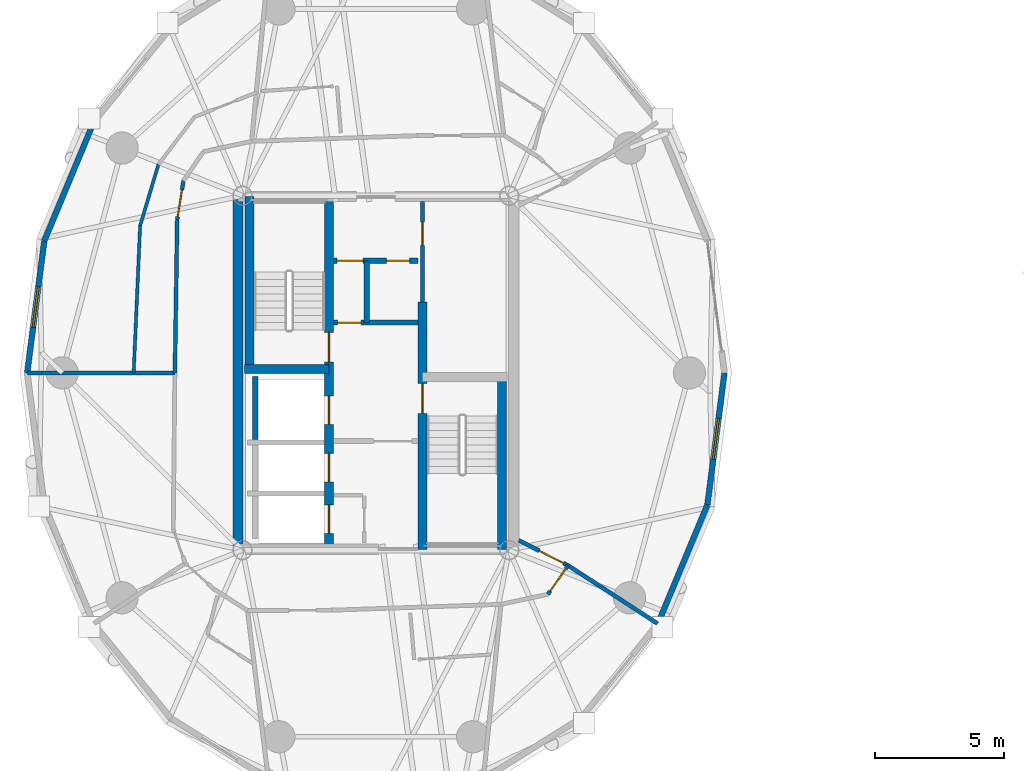
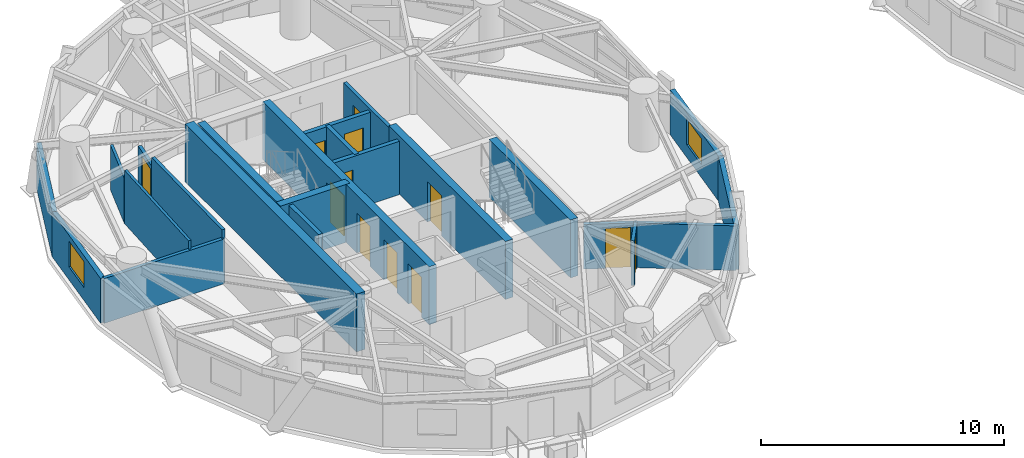
# One storey, part 11 of 19: 23 walls, 12 doors, 2 windows, 14 openings.
"""IFC4 building model written with IfcOpenShell, lengths in metres."""

from ifc_helpers import new_model, si_unit, direction, frame, frame_2d, origin, place, context, subcontext, project, spatial, rectangle, extrude, source, transform, mapped, material, layer, layer_set, type_object, element, fill, save


model = new_model("IFC4")

# Units and contexts
model_context = context("Model", 3, precision=1e-05, world=origin(), true_north=direction((0.0, 1.0)))
body_context = subcontext(model_context, "Body", "Model", "MODEL_VIEW")
ifc_project = project(units=[si_unit("LENGTHUNIT", "METRE"), si_unit("AREAUNIT", "SQUARE_METRE"), si_unit("VOLUMEUNIT", "CUBIC_METRE"), si_unit("PLANEANGLEUNIT", "RADIAN"), si_unit("MASSUNIT", "GRAM", prefix="KILO")], contexts=[model_context])

# Site, building, storey
site_placement = place(None, origin())
site = spatial("IfcSite", under=ifc_project, at=site_placement, CompositionType="ELEMENT")
building_placement = place(site_placement, origin())
building = spatial("IfcBuilding", under=site, at=building_placement, Name="Cununo Teusaquillo Station Towers", CompositionType="ELEMENT")
storey_placement = place(building_placement, frame((0.0, 0.0, 177.7900390625)))
storey = spatial("IfcBuildingStorey", under=building, at=storey_placement, Name="L56", CompositionType="ELEMENT", Elevation=177.7900390625)

# Wall
ifc_material_1 = material(Name="Concrete C50/60", Category="concrete")
ifc_layer_1 = layer(ifc_material_1, 0.199951171875)
ifc_layer_set_1 = layer_set([ifc_layer_1], Name="Concrete C50/60")
wall_type_1 = type_object("IfcWallType", Name="WL-CORE-200", PredefinedType="SHEAR", material=ifc_layer_set_1)
wall_1_placement = place(storey_placement, frame((11.820068359375, 21.919921875, 0.0), z_axis=(0.0, 0.0, 1.0), x_axis=(0.0, 1.0, 0.0)))
element("IfcWall", 1, at=wall_1_placement, inside=storey, type_object=wall_type_1, Name="L56 Tower A Firefighting Lift Shaft Rear Shear Wall", PredefinedType="SHEAR", context=body_context, shape_type="SweptSolid", body=[
    extrude(rectangle(XDim=2.440185546875, YDim=0.199951171875, at=frame_2d((1.22021484375, 0.0))), origin(), (0.0, 0.0, 1.0), 2.909912109375),
])

# Wall, openings, doors
ifc_material_2 = material(Name="Concrete C50/60", Category="concrete")
ifc_layer_2 = layer(ifc_material_2, 0.35009765625)
ifc_layer_set_2 = layer_set([ifc_layer_2], Name="Concrete C50/60")
wall_type_2 = type_object("IfcWallType", Name="WL-CORE-350", PredefinedType="SHEAR", material=ifc_layer_set_2)
wall_2_placement = place(storey_placement, frame((14.68505859375, 17.64990234375, 0.0), z_axis=(0.0, 0.0, 1.0), x_axis=(0.0, 1.0, 0.0)))
wall_2 = element("IfcWall", 2, at=wall_2_placement, inside=storey, type_object=wall_type_2, Name="L56 Tower A Core Shear Wall IW", PredefinedType="SHEAR", context=body_context, shape_type="SweptSolid", body=[
    extrude(rectangle(XDim=13.7001953125, YDim=0.35009765625, at=frame_2d((6.85009765625, 0.0))), origin(), (0.0, 0.0, 1.0), 2.909912109375),
])
shared_shape_1 = source(origin(), body_context, "Body", "SweptSolid", [
    extrude(rectangle(XDim=1.10009765625, YDim=2.014892578125, at=frame_2d((0.550048828125, 1.00732421875))), frame((0.0, 0.18505859375, 0.0), z_axis=(0.0, -1.0, 0.0), x_axis=(1.0, 0.0, 0.0)), (0.0, 0.0, 1.0), 0.3701171875),
])
opening_1_placement = place(wall_2_placement, frame((4.85009765625, 0.0, 0.0)))
opening_1 = element("IfcOpeningElement", 3, at=opening_1_placement, cuts=wall_2, Name="Opening LD-01", PredefinedType="OPENING", context=body_context, shape_type="MappedRepresentation", body=[
    mapped(shared_shape_1, transform((0.0, 0.0, 0.0), x_axis=(1.0, 0.0, 0.0), y_axis=(0.0, 1.0, 0.0), z_axis=(0.0, 0.0, 1.0), scale=1.0)),
])
opening_2_placement = place(wall_2_placement, frame((0.625, 0.0, 0.0)))
opening_2 = element("IfcOpeningElement", 4, at=opening_2_placement, cuts=wall_2, Name="Opening LD-01", PredefinedType="OPENING", context=body_context, shape_type="MappedRepresentation", body=[
    mapped(shared_shape_1, transform((0.0, 0.0, 0.0), x_axis=(1.0, 0.0, 0.0), y_axis=(0.0, 1.0, 0.0), z_axis=(0.0, 0.0, 1.0), scale=1.0)),
])
opening_3_placement = place(wall_2_placement, frame((2.625, 0.0, 0.0)))
opening_3 = element("IfcOpeningElement", 5, at=opening_3_placement, cuts=wall_2, Name="Opening LD-01", PredefinedType="OPENING", context=body_context, shape_type="MappedRepresentation", body=[
    mapped(shared_shape_1, transform((0.0, 0.0, 0.0), x_axis=(1.0, 0.0, 0.0), y_axis=(0.0, 1.0, 0.0), z_axis=(0.0, 0.0, 1.0), scale=1.0)),
])
shared_shape_2 = source(origin(), body_context, "Body", "SweptSolid", [
    extrude(rectangle(XDim=1.14990234375, YDim=2.02001953125, at=frame_2d((0.574951171875, 1.010009765625))), frame((0.0, 0.18505859375, 0.0), z_axis=(0.0, -1.0, 0.0), x_axis=(1.0, 0.0, 0.0)), (0.0, 0.0, 1.0), 0.3701171875),
])
opening_4_placement = place(wall_2_placement, frame((7.27001953125, 0.0, 0.0)))
opening_4 = element("IfcOpeningElement", 6, at=opening_4_placement, cuts=wall_2, Name="Opening D-ST1", PredefinedType="OPENING", context=body_context, shape_type="MappedRepresentation", body=[
    mapped(shared_shape_2, transform((0.0, 0.0, 0.0), x_axis=(1.0, 0.0, 0.0), y_axis=(0.0, 1.0, 0.0), z_axis=(0.0, 0.0, 1.0), scale=1.0)),
])
ifc_material_3 = material(Name="Galvanised fire-rated hollow steel door assembly", Category="steel")
door_type_1 = type_object("IfcDoorType", Name="DR-LIFT-1100", OperationType="SLIDING_TO_LEFT", PredefinedType="DOOR", material=ifc_material_3)
shared_shape_3 = source(origin(), body_context, "Body", "SweptSolid", [
    extrude(rectangle(XDim=1.10009765625, YDim=2.014892578125, at=frame_2d((0.550048828125, 1.00732421875))), frame((0.0, 0.02490234375, 0.0), z_axis=(0.0, -1.0, 0.0), x_axis=(1.0, 0.0, 0.0)), (0.0, 0.0, 1.0), 0.050048828125),
])
door_1_placement = place(opening_1_placement, origin())
door_1 = element("IfcDoor", 7, at=door_1_placement, inside=storey, type_object=door_type_1, Name="L56 Lift FL-T1 Sliding Landing Door", OperationType="SLIDING_TO_LEFT", OverallHeight=2.014892578125, OverallWidth=1.10009765625, PredefinedType="DOOR", context=body_context, shape_type="MappedRepresentation", body=[
    mapped(shared_shape_3, transform((0.0, 0.0, 0.0), x_axis=(1.0, 0.0, 0.0), y_axis=(0.0, 1.0, 0.0), z_axis=(0.0, 0.0, 1.0), scale=1.0)),
])
fill(opening_1, door_1)
door_2_placement = place(opening_2_placement, origin())
door_2 = element("IfcDoor", 8, at=door_2_placement, inside=storey, type_object=door_type_1, Name="L56 Lift PL-T1-H1 Sliding Landing Door", OperationType="SLIDING_TO_RIGHT", OverallHeight=2.014892578125, OverallWidth=1.10009765625, PredefinedType="DOOR", context=body_context, shape_type="MappedRepresentation", body=[
    mapped(shared_shape_3, transform((0.0, 0.0, 0.0), x_axis=(1.0, 0.0, 0.0), y_axis=(0.0, 1.0, 0.0), z_axis=(0.0, 0.0, 1.0), scale=1.0)),
])
fill(opening_2, door_2)
door_3_placement = place(opening_3_placement, origin())
door_3 = element("IfcDoor", 9, at=door_3_placement, inside=storey, type_object=door_type_1, Name="L56 Lift PL-T1-H2 Sliding Landing Door", OperationType="SLIDING_TO_LEFT", OverallHeight=2.014892578125, OverallWidth=1.10009765625, PredefinedType="DOOR", context=body_context, shape_type="MappedRepresentation", body=[
    mapped(shared_shape_3, transform((0.0, 0.0, 0.0), x_axis=(1.0, 0.0, 0.0), y_axis=(0.0, 1.0, 0.0), z_axis=(0.0, 0.0, 1.0), scale=1.0)),
])
fill(opening_3, door_3)
ifc_material_4 = material(Name="Galvanised fire-rated hollow steel door assembly", Category="steel")
door_type_2 = type_object("IfcDoorType", Name="DR-STAIR-1150", OperationType="NOTDEFINED", PredefinedType="DOOR", material=ifc_material_4)
shared_shape_4 = source(origin(), body_context, "Body", "SweptSolid", [
    extrude(rectangle(XDim=1.14990234375, YDim=2.02001953125, at=frame_2d((0.574951171875, 1.010009765625))), frame((0.0, 0.02490234375, 0.0), z_axis=(0.0, -1.0, 0.0), x_axis=(1.0, 0.0, 0.0)), (0.0, 0.0, 1.0), 0.050048828125),
])
door_4_placement = place(opening_4_placement, origin())
door_4 = element("IfcDoor", 10, at=door_4_placement, inside=storey, type_object=door_type_2, Name="L56 Tower A Exit Stair 1 Fire Door", OperationType="SINGLE_SWING_RIGHT", OverallHeight=2.02001953125, OverallWidth=1.14990234375, PredefinedType="DOOR", context=body_context, shape_type="MappedRepresentation", body=[
    mapped(shared_shape_4, transform((0.0, 0.0, 0.0), x_axis=(1.0, 0.0, 0.0), y_axis=(0.0, 1.0, 0.0), z_axis=(0.0, 0.0, 1.0), scale=1.0)),
])
fill(opening_4, door_4)

# Wall, opening, door
wall_3_placement = place(storey_placement, frame((18.31494140625, 17.64990234375, 0.0), z_axis=(0.0, 0.0, 1.0), x_axis=(0.0, 1.0, 0.0)))
wall_3 = element("IfcWall", 11, at=wall_3_placement, inside=storey, type_object=wall_type_2, Name="L56 Tower A Core Shear Wall IE", PredefinedType="SHEAR", context=body_context, shape_type="SweptSolid", body=[
    extrude(rectangle(XDim=9.60009765625, YDim=0.35009765625, at=frame_2d((4.800048828125, 0.0))), origin(), (0.0, 0.0, 1.0), 2.909912109375),
])
opening_5_placement = place(wall_3_placement, frame((5.280029296875, 0.0, 0.0)))
opening_5 = element("IfcOpeningElement", 12, at=opening_5_placement, cuts=wall_3, Name="Opening D-ST1", PredefinedType="OPENING", context=body_context, shape_type="MappedRepresentation", body=[
    mapped(shared_shape_2, transform((0.0, 0.0, 0.0), x_axis=(1.0, 0.0, 0.0), y_axis=(0.0, 1.0, 0.0), z_axis=(0.0, 0.0, 1.0), scale=1.0)),
])
door_5_placement = place(opening_5_placement, origin())
door_5 = element("IfcDoor", 13, at=door_5_placement, inside=storey, type_object=door_type_2, Name="L56 Tower A Exit Stair 2 Fire Door", OperationType="SINGLE_SWING_LEFT", OverallHeight=2.02001953125, OverallWidth=1.14990234375, PredefinedType="DOOR", context=body_context, shape_type="MappedRepresentation", body=[
    mapped(shared_shape_4, transform((0.0, 0.0, 0.0), x_axis=(1.0, 0.0, 0.0), y_axis=(0.0, 1.0, 0.0), z_axis=(0.0, 0.0, 1.0), scale=1.0)),
])
fill(opening_5, door_5)

# Walls
wall_4_placement = place(storey_placement, frame((11.594970703125, 24.655029296875, 0.0), z_axis=(0.0, 0.0, 1.0), x_axis=(0.0, 1.0, 0.0)))
element("IfcWall", 14, at=wall_4_placement, inside=storey, type_object=wall_type_2, Name="L56 Tower A Core Shear Wall ST1W", PredefinedType="SHEAR", context=body_context, shape_type="SweptSolid", body=[
    extrude(rectangle(XDim=6.695068359375, YDim=0.35009765625, at=frame_2d((3.34765625, 0.0))), origin(), (0.0, 0.0, 1.0), 2.909912109375),
])
wall_5_placement = place(storey_placement, frame((11.39990234375, 24.655029296875, 0.0), z_axis=(0.0, 0.0, 1.0), x_axis=(1.0, 0.0, 0.0)))
element("IfcWall", 15, at=wall_5_placement, inside=storey, type_object=wall_type_2, Name="L56 Tower A Core Shear Wall ST1S", PredefinedType="SHEAR", context=body_context, shape_type="SweptSolid", body=[
    extrude(rectangle(XDim=3.28515625, YDim=0.35009765625, at=frame_2d((1.642578125, 0.0))), origin(), (0.0, 0.0, 1.0), 2.909912109375),
])
wall_6_placement = place(storey_placement, frame((21.405029296875, 17.64990234375, 0.0), z_axis=(0.0, 0.0, 1.0), x_axis=(0.0, 1.0, 0.0)))
element("IfcWall", 16, at=wall_6_placement, inside=storey, type_object=wall_type_2, Name="L56 Tower A Core Shear Wall ST2E", PredefinedType="SHEAR", context=body_context, shape_type="SweptSolid", body=[
    extrude(rectangle(XDim=6.695068359375, YDim=0.35009765625, at=frame_2d((3.34765625, 0.0))), origin(), (0.0, 0.0, 1.0), 2.909912109375),
])
ifc_material_5 = material(Name="Concrete C50/60", Category="concrete")
ifc_layer_3 = layer(ifc_material_5, 0.39990234375)
ifc_layer_set_3 = layer_set([ifc_layer_3], Name="Concrete C50/60")
wall_type_3 = type_object("IfcWallType", Name="WL-CORE-400", PredefinedType="SHEAR", material=ifc_layer_set_3)
wall_7_placement = place(storey_placement, frame((11.14990234375, 17.449951171875, 0.0), z_axis=(0.0, 0.0, 1.0), x_axis=(0.0, 1.0, 0.0)))
element("IfcWall", 17, at=wall_7_placement, inside=storey, type_object=wall_type_3, Name="L56 Tower A Core Shear Wall W", PredefinedType="SHEAR", context=body_context, shape_type="SweptSolid", body=[
    extrude(rectangle(XDim=14.10009765625, YDim=0.39990234375, at=frame_2d((7.050048828125, 0.0))), origin(), (0.0, 0.0, 1.0), 2.909912109375),
])
ifc_material_6 = material(Name="Precast concrete C40/50", Category="concrete")
ifc_layer_4 = layer(ifc_material_6, 0.219970703125)
ifc_layer_set_4 = layer_set([ifc_layer_4], Name="Precast concrete C40/50")
wall_type_4 = type_object("IfcWallType", Name="WL-EXT-220", PredefinedType="SOLIDWALL", material=ifc_layer_set_4)
wall_8_placement = place(storey_placement, frame((3.63134765625, 29.620361328125, 0.0), z_axis=(0.0, 0.0, 1.0), x_axis=(0.384144094086, 0.923273152961, 0.0)))
element("IfcWall", 18, at=wall_8_placement, inside=storey, type_object=wall_type_4, Name="L56 Tower A Exterior Facade Wall C08", PredefinedType="SOLIDWALL", context=body_context, shape_type="SweptSolid", body=[
    extrude(rectangle(XDim=5.0029296875, YDim=0.219970703125, at=frame_2d((2.50146484375, 0.0))), origin(), (0.0, 0.0, 1.0), 2.244873046875),
])

# Wall, opening, window
wall_9_placement = place(storey_placement, frame((2.968994140625, 24.5, 0.0), z_axis=(0.0, 0.0, 1.0), x_axis=(0.128287912609, 0.991736966881, 0.0)))
wall_9 = element("IfcWall", 19, at=wall_9_placement, inside=storey, type_object=wall_type_4, Name="L56 Tower A Exterior Facade Wall C09", PredefinedType="SOLIDWALL", context=body_context, shape_type="SweptSolid", body=[
    extrude(rectangle(XDim=5.1630859375, YDim=0.219970703125, at=frame_2d((2.58154296875, 0.0))), origin(), (0.0, 0.0, 1.0), 2.244873046875),
])
shared_shape_5 = source(origin(), body_context, "Body", "SweptSolid", [
    extrude(rectangle(XDim=1.60009765625, YDim=1.300048828125, at=frame_2d((0.800048828125, 0.64990234375))), frame((0.0, 0.119873046875, 0.0), z_axis=(0.0, -1.0, 0.0), x_axis=(1.0, 0.0, 0.0)), (0.0, 0.0, 1.0), 0.239990234375),
])
opening_6_placement = place(wall_9_placement, frame((1.781982421875, 0.0, 0.64990234375)))
opening_6 = element("IfcOpeningElement", 20, at=opening_6_placement, cuts=wall_9, Name="Opening WN-03", PredefinedType="OPENING", context=body_context, shape_type="MappedRepresentation", body=[
    mapped(shared_shape_5, transform((0.0, 0.0, 0.0), x_axis=(1.0, 0.0, 0.0), y_axis=(0.0, 1.0, 0.0), z_axis=(0.0, 0.0, 1.0), scale=1.0)),
])
ifc_material_7 = material(Name="Ceramic-fritted dark low-E double glazing", Category="glass")
window_type = type_object("IfcWindowType", Name="WIN-CORN-1600", PartitioningType="SINGLE_PANEL", PredefinedType="WINDOW", material=ifc_material_7)
shared_shape_6 = source(origin(), body_context, "Body", "SweptSolid", [
    extrude(rectangle(XDim=1.60009765625, YDim=1.300048828125, at=frame_2d((0.800048828125, 0.64990234375))), frame((0.0, 0.030029296875, 0.0), z_axis=(0.0, -1.0, 0.0), x_axis=(1.0, 0.0, 0.0)), (0.0, 0.0, 1.0), 0.06005859375),
])
window_1_placement = place(opening_6_placement, origin())
window_1 = element("IfcWindow", 21, at=window_1_placement, inside=storey, type_object=window_type, Name="L56 Tower A Facade Window C09", OverallHeight=1.300048828125, OverallWidth=1.60009765625, PartitioningType="SINGLE_PANEL", PredefinedType="WINDOW", context=body_context, shape_type="MappedRepresentation", body=[
    mapped(shared_shape_6, transform((0.0, 0.0, 0.0), x_axis=(1.0, 0.0, 0.0), y_axis=(0.0, 1.0, 0.0), z_axis=(0.0, 0.0, 1.0), scale=1.0)),
])
fill(opening_6, window_1)

# Wall
wall_10_placement = place(storey_placement, frame((29.36865234375, 19.379638671875, 0.0), z_axis=(0.0, 0.0, 1.0), x_axis=(-0.384144094086, -0.923273152961, 0.0)))
element("IfcWall", 22, at=wall_10_placement, inside=storey, type_object=wall_type_4, Name="L56 Tower A Exterior Facade Wall C18", PredefinedType="SOLIDWALL", context=body_context, shape_type="SweptSolid", body=[
    extrude(rectangle(XDim=5.0029296875, YDim=0.219970703125, at=frame_2d((2.50146484375, 0.0))), origin(), (0.0, 0.0, 1.0), 2.244873046875),
])

# Wall, opening, window
wall_11_placement = place(storey_placement, frame((30.031005859375, 24.5, 0.0), z_axis=(0.0, 0.0, 1.0), x_axis=(-0.128287912609, -0.991736966881, 0.0)))
wall_11 = element("IfcWall", 23, at=wall_11_placement, inside=storey, type_object=wall_type_4, Name="L56 Tower A Exterior Facade Wall C19", PredefinedType="SOLIDWALL", context=body_context, shape_type="SweptSolid", body=[
    extrude(rectangle(XDim=5.1630859375, YDim=0.219970703125, at=frame_2d((2.58154296875, 0.0))), origin(), (0.0, 0.0, 1.0), 2.244873046875),
])
opening_7_placement = place(wall_11_placement, frame((1.781982421875, 0.0, 0.64990234375)))
opening_7 = element("IfcOpeningElement", 24, at=opening_7_placement, cuts=wall_11, Name="Opening WN-03", PredefinedType="OPENING", context=body_context, shape_type="MappedRepresentation", body=[
    mapped(shared_shape_5, transform((0.0, 0.0, 0.0), x_axis=(1.0, 0.0, 0.0), y_axis=(0.0, 1.0, 0.0), z_axis=(0.0, 0.0, 1.0), scale=1.0)),
])
window_2_placement = place(opening_7_placement, origin())
window_2 = element("IfcWindow", 25, at=window_2_placement, inside=storey, type_object=window_type, Name="L56 Tower A Facade Window C19", OverallHeight=1.300048828125, OverallWidth=1.60009765625, PartitioningType="SINGLE_PANEL", PredefinedType="WINDOW", context=body_context, shape_type="MappedRepresentation", body=[
    mapped(shared_shape_6, transform((0.0, 0.0, 0.0), x_axis=(1.0, 0.0, 0.0), y_axis=(0.0, 1.0, 0.0), z_axis=(0.0, 0.0, 1.0), scale=1.0)),
])
fill(opening_7, window_2)

# Walls
ifc_material_8 = material(Name="Fire-rated gypsum plasterboard partition assembly", Category="gypsum")
ifc_layer_5 = layer(ifc_material_8, 0.125)
ifc_layer_set_5 = layer_set([ifc_layer_5], Name="Fire-rated gypsum plasterboard partition assembly")
wall_type_5 = type_object("IfcWallType", Name="WL-PART-125", PredefinedType="PARTITIONING", material=ifc_layer_set_5)
wall_12_placement = place(storey_placement, frame((8.06298828125, 32.593505859375, 0.0), z_axis=(0.0, 0.0, 1.0), x_axis=(-0.286473203627, -0.958088254601, 0.0)))
element("IfcWall", 26, at=wall_12_placement, inside=storey, type_object=wall_type_5, Name="L56 Tower A Hotel Tea & Cigar Conservatory Concentric Partition Wall C08", PredefinedType="PARTITIONING", context=body_context, shape_type="SweptSolid", body=[
    extrude(rectangle(XDim=2.484130859375, YDim=0.125, at=frame_2d((1.2421875, 0.0))), origin(), (0.0, 0.0, 1.0), 2.244873046875),
])
wall_13_placement = place(storey_placement, frame((7.351318359375, 30.21337890625, 0.0), z_axis=(0.0, 0.0, 1.0), x_axis=(-0.043800331293, -0.999040304982, 0.0)))
element("IfcWall", 27, at=wall_13_placement, inside=storey, type_object=wall_type_5, Name="L56 Tower A Hotel Tea & Cigar Conservatory Concentric Partition Wall C09", PredefinedType="PARTITIONING", context=body_context, shape_type="SweptSolid", body=[
    extrude(rectangle(XDim=5.71875, YDim=0.125, at=frame_2d((2.859375, 0.0))), origin(), (0.0, 0.0, 1.0), 2.675048828125),
])

# Wall, opening, door
ifc_material_9 = material(Name="Fire-rated gypsum plasterboard partition assembly", Category="gypsum")
ifc_layer_6 = layer(ifc_material_9, 0.14990234375)
ifc_layer_set_6 = layer_set([ifc_layer_6], Name="Fire-rated gypsum plasterboard partition assembly")
wall_type_6 = type_object("IfcWallType", Name="WL-PART-150", PredefinedType="PARTITIONING", material=ifc_layer_set_6)
wall_14_placement = place(storey_placement, frame((9.032958984375, 31.9580078125, 0.0), z_axis=(0.0, 0.0, 1.0), x_axis=(-0.158344987388, -0.98738384885, 0.0)))
wall_14 = element("IfcWall", 28, at=wall_14_placement, inside=storey, type_object=wall_type_6, Name="L56 Tower A Corridor Ring Wall C08", PredefinedType="PARTITIONING", context=body_context, shape_type="SweptSolid", body=[
    extrude(rectangle(XDim=1.531005859375, YDim=0.14990234375, at=frame_2d((0.765625, 0.0))), origin(), (0.0, 0.0, 1.0), 2.244873046875),
])
shared_shape_7 = source(origin(), body_context, "Body", "SweptSolid", [
    extrude(rectangle(XDim=1.050048828125, YDim=2.014892578125, at=frame_2d((0.52490234375, 1.00732421875))), frame((0.0, 0.0849609375, 0.0), z_axis=(0.0, -1.0, 0.0), x_axis=(1.0, 0.0, 0.0)), (0.0, 0.0, 1.0), 0.169921875),
])
opening_8_placement = place(wall_14_placement, frame((0.36083984375, 0.0, 0.0)))
opening_8 = element("IfcOpeningElement", 29, at=opening_8_placement, cuts=wall_14, Name="Opening D-SU1", PredefinedType="OPENING", context=body_context, shape_type="MappedRepresentation", body=[
    mapped(shared_shape_7, transform((0.0, 0.0, 0.0), x_axis=(1.0, 0.0, 0.0), y_axis=(0.0, 1.0, 0.0), z_axis=(0.0, 0.0, 1.0), scale=1.0)),
])
ifc_material_10 = material(Name="Acoustic solid-core hardwood leaf assembly", Category="wood")
door_type_3 = type_object("IfcDoorType", Name="DR-SUITE-1050", OperationType="NOTDEFINED", PredefinedType="DOOR", material=ifc_material_10)
shared_shape_8 = source(origin(), body_context, "Body", "SweptSolid", [
    extrude(rectangle(XDim=1.050048828125, YDim=2.014892578125, at=frame_2d((0.52490234375, 1.00732421875))), frame((0.0, 0.02490234375, 0.0), z_axis=(0.0, -1.0, 0.0), x_axis=(1.0, 0.0, 0.0)), (0.0, 0.0, 1.0), 0.050048828125),
])
door_6_placement = place(opening_8_placement, origin())
door_6 = element("IfcDoor", 30, at=door_6_placement, inside=storey, type_object=door_type_3, Name="L56 Tower A Hotel Tea & Cigar Conservatory Entrance Door", OperationType="SINGLE_SWING_LEFT", OverallHeight=2.014892578125, OverallWidth=1.050048828125, PredefinedType="DOOR", context=body_context, shape_type="MappedRepresentation", body=[
    mapped(shared_shape_8, transform((0.0, 0.0, 0.0), x_axis=(1.0, 0.0, 0.0), y_axis=(0.0, 1.0, 0.0), z_axis=(0.0, 0.0, 1.0), scale=1.0)),
])
fill(opening_8, door_6)

# Wall
wall_15_placement = place(storey_placement, frame((8.79052734375, 30.4462890625, 0.0), z_axis=(0.0, 0.0, 1.0), x_axis=(-0.015230619426, -0.999884007389, 0.0)))
element("IfcWall", 31, at=wall_15_placement, inside=storey, type_object=wall_type_6, Name="L56 Tower A Corridor Ring Wall C09", PredefinedType="PARTITIONING", context=body_context, shape_type="SweptSolid", body=[
    extrude(rectangle(XDim=5.947021484375, YDim=0.14990234375, at=frame_2d((2.9736328125, 0.0))), origin(), (0.0, 0.0, 1.0), 2.675048828125),
])

# Wall, opening, door
wall_16_placement = place(storey_placement, frame((23.18115234375, 15.90771484375, 0.0), z_axis=(0.0, 0.0, 1.0), x_axis=(0.571342842249, 0.820711494138, 0.0)))
wall_16 = element("IfcWall", 32, at=wall_16_placement, inside=storey, type_object=wall_type_6, Name="L56 Tower A Corridor Ring Wall C17", PredefinedType="PARTITIONING", context=body_context, shape_type="SweptSolid", body=[
    extrude(rectangle(XDim=1.36181640625, YDim=0.14990234375, at=frame_2d((0.680908203125, 0.0))), origin(), (0.0, 0.0, 1.0), 2.244873046875),
])
opening_9_placement = place(wall_16_placement, frame((0.156005859375, 0.0, 0.0)))
opening_9 = element("IfcOpeningElement", 33, at=opening_9_placement, cuts=wall_16, Name="Opening D-SU1", PredefinedType="OPENING", context=body_context, shape_type="MappedRepresentation", body=[
    mapped(shared_shape_7, transform((0.0, 0.0, 0.0), x_axis=(1.0, 0.0, 0.0), y_axis=(0.0, 1.0, 0.0), z_axis=(0.0, 0.0, 1.0), scale=1.0)),
])
door_7_placement = place(opening_9_placement, origin())
door_7 = element("IfcDoor", 34, at=door_7_placement, inside=storey, type_object=door_type_3, Name="L56 Tower A Hotel Housekeeping & Linen Pantry Entrance Door", OperationType="SINGLE_SWING_RIGHT", OverallHeight=2.014892578125, OverallWidth=1.050048828125, PredefinedType="DOOR", context=body_context, shape_type="MappedRepresentation", body=[
    mapped(shared_shape_8, transform((0.0, 0.0, 0.0), x_axis=(1.0, 0.0, 0.0), y_axis=(0.0, 1.0, 0.0), z_axis=(0.0, 0.0, 1.0), scale=1.0)),
])
fill(opening_9, door_7)

ifc_material_11 = material(Name="Fire-rated gypsum plasterboard partition assembly", Category="gypsum")
ifc_layer_7 = layer(ifc_material_11, 0.159912109375)
ifc_layer_set_7 = layer_set([ifc_layer_7], Name="Fire-rated gypsum plasterboard partition assembly")
wall_type_7 = type_object("IfcWallType", Name="WL-PART-160", PredefinedType="PARTITIONING", material=ifc_layer_set_7)
wall_17_placement = place(storey_placement, frame((18.31494140625, 27.25, 0.0), z_axis=(0.0, 0.0, 1.0), x_axis=(0.0, 1.0, 0.0)))
wall_17 = element("IfcWall", 35, at=wall_17_placement, inside=storey, type_object=wall_type_7, Name="L56 Tower A Reclaimed Core Bay Entry Wall", PredefinedType="PARTITIONING", context=body_context, shape_type="SweptSolid", body=[
    extrude(rectangle(XDim=3.89990234375, YDim=0.159912109375, at=frame_2d((1.949951171875, 0.0))), origin(), (0.0, 0.0, 1.0), 2.675048828125),
])
shared_shape_9 = source(origin(), body_context, "Body", "SweptSolid", [
    extrude(rectangle(XDim=0.89990234375, YDim=2.0048828125, at=frame_2d((0.449951171875, 1.00244140625))), frame((0.0, 0.08984375, 0.0), z_axis=(0.0, -1.0, 0.0), x_axis=(1.0, 0.0, 0.0)), (0.0, 0.0, 1.0), 0.179931640625),
])
opening_10_placement = place(wall_17_placement, frame((2.199951171875, 0.0, 0.0)))
opening_10 = element("IfcOpeningElement", 36, at=opening_10_placement, cuts=wall_17, Name="Opening D-IN1", PredefinedType="OPENING", context=body_context, shape_type="MappedRepresentation", body=[
    mapped(shared_shape_9, transform((0.0, 0.0, 0.0), x_axis=(1.0, 0.0, 0.0), y_axis=(0.0, 1.0, 0.0), z_axis=(0.0, 0.0, 1.0), scale=1.0)),
])
ifc_material_12 = material(Name="Acoustic solid-core hardwood leaf assembly", Category="wood")
door_type_4 = type_object("IfcDoorType", Name="DR-INT-900", OperationType="NOTDEFINED", PredefinedType="DOOR", material=ifc_material_12)
shared_shape_10 = source(origin(), body_context, "Body", "SweptSolid", [
    extrude(rectangle(XDim=0.89990234375, YDim=2.0048828125, at=frame_2d((0.449951171875, 1.00244140625))), frame((0.0, 0.02490234375, 0.0), z_axis=(0.0, -1.0, 0.0), x_axis=(1.0, 0.0, 0.0)), (0.0, 0.0, 1.0), 0.050048828125),
])
door_8_placement = place(opening_10_placement, origin())
door_8 = element("IfcDoor", 37, at=door_8_placement, inside=storey, type_object=door_type_4, Name="L56 Tower A Reclaimed Core Lounge Door", OperationType="SINGLE_SWING_RIGHT", OverallHeight=2.0048828125, OverallWidth=0.89990234375, PredefinedType="DOOR", context=body_context, shape_type="MappedRepresentation", body=[
    mapped(shared_shape_10, transform((0.0, 0.0, 0.0), x_axis=(1.0, 0.0, 0.0), y_axis=(0.0, 1.0, 0.0), z_axis=(0.0, 0.0, 1.0), scale=1.0)),
])
fill(opening_10, door_8)

# Walls
wall_18_placement = place(storey_placement, frame((8.699951171875, 24.5, 0.0), z_axis=(0.0, 0.0, 1.0), x_axis=(-1.0, 0.0, 0.0)))
element("IfcWall", 38, at=wall_18_placement, inside=storey, type_object=wall_type_7, Name="L56 Tower A Radial Suite Partition R04", PredefinedType="PARTITIONING", context=body_context, shape_type="SweptSolid", body=[
    extrude(rectangle(XDim=5.7109375, YDim=0.159912109375, at=frame_2d((2.85546875, 0.0))), origin(), (0.0, 0.0, 1.0), 2.244873046875),
])
wall_19_placement = place(storey_placement, frame((23.959228515625, 17.025390625, 0.0), z_axis=(0.0, 0.0, 1.0), x_axis=(0.838803293388, -0.544434601215, 0.0)))
element("IfcWall", 39, at=wall_19_placement, inside=storey, type_object=wall_type_7, Name="L56 Tower A Radial Suite Partition R08", PredefinedType="PARTITIONING", context=body_context, shape_type="SweptSolid", body=[
    extrude(rectangle(XDim=4.138671875, YDim=0.159912109375, at=frame_2d((2.0693359375, 0.0))), origin(), (0.0, 0.0, 1.0), 2.244873046875),
])

# Wall, opening, door
wall_20_placement = place(storey_placement, frame((22.050048828125, 18.0, 0.0), z_axis=(0.0, 0.0, 1.0), x_axis=(0.890660222535, -0.454669515136, 0.0)))
wall_20 = element("IfcWall", 40, at=wall_20_placement, inside=storey, type_object=wall_type_7, Name="L56 Tower A East Salon Corridor Portal Wall SE", PredefinedType="PARTITIONING", context=body_context, shape_type="SweptSolid", body=[
    extrude(rectangle(XDim=2.1435546875, YDim=0.159912109375, at=frame_2d((1.07177734375, 0.0))), origin(), (0.0, 0.0, 1.0), 2.244873046875),
])
shared_shape_11 = source(origin(), body_context, "Body", "SweptSolid", [
    extrude(rectangle(XDim=1.050048828125, YDim=2.014892578125, at=frame_2d((0.52490234375, 1.00732421875))), frame((0.0, 0.08984375, 0.0), z_axis=(0.0, -1.0, 0.0), x_axis=(1.0, 0.0, 0.0)), (0.0, 0.0, 1.0), 0.179931640625),
])
opening_11_placement = place(wall_20_placement, frame((0.8935546875, 0.0, 0.0)))
opening_11 = element("IfcOpeningElement", 41, at=opening_11_placement, cuts=wall_20, Name="Opening D-SU1", PredefinedType="OPENING", context=body_context, shape_type="MappedRepresentation", body=[
    mapped(shared_shape_11, transform((0.0, 0.0, 0.0), x_axis=(1.0, 0.0, 0.0), y_axis=(0.0, 1.0, 0.0), z_axis=(0.0, 0.0, 1.0), scale=1.0)),
])
door_9_placement = place(opening_11_placement, origin())
door_9 = element("IfcDoor", 42, at=door_9_placement, inside=storey, type_object=door_type_3, Name="L56 Tower A East Panorama Sky Salon Door SE", OperationType="SINGLE_SWING_RIGHT", OverallHeight=2.014892578125, OverallWidth=1.050048828125, PredefinedType="DOOR", context=body_context, shape_type="MappedRepresentation", body=[
    mapped(shared_shape_8, transform((0.0, 0.0, 0.0), x_axis=(1.0, 0.0, 0.0), y_axis=(0.0, 1.0, 0.0), z_axis=(0.0, 0.0, 1.0), scale=1.0)),
])
fill(opening_11, door_9)

ifc_material_13 = material(Name="Fire-rated gypsum plasterboard partition assembly", Category="gypsum")
ifc_layer_8 = layer(ifc_material_13, 0.199951171875)
ifc_layer_set_8 = layer_set([ifc_layer_8], Name="Fire-rated gypsum plasterboard partition assembly")
wall_type_8 = type_object("IfcWallType", Name="WL-PART-200", PredefinedType="PARTITIONING", material=ifc_layer_set_8)
wall_21_placement = place(storey_placement, frame((14.860107421875, 26.449951171875, 0.0), z_axis=(0.0, 0.0, 1.0), x_axis=(1.0, 0.0, 0.0)))
wall_21 = element("IfcWall", 43, at=wall_21_placement, inside=storey, type_object=wall_type_8, Name="L56 Tower A Firefighting Lift Lobby North Fire Wall", PredefinedType="PARTITIONING", context=body_context, shape_type="SweptSolid", body=[
    extrude(rectangle(XDim=3.27978515625, YDim=0.199951171875, at=frame_2d((1.639892578125, 0.0))), origin(), (0.0, 0.0, 1.0), 2.675048828125),
])
shared_shape_12 = source(origin(), body_context, "Body", "SweptSolid", [
    extrude(rectangle(XDim=0.89990234375, YDim=2.0048828125, at=frame_2d((0.449951171875, 1.00244140625))), frame((0.0, 0.10986328125, 0.0), z_axis=(0.0, -1.0, 0.0), x_axis=(1.0, 0.0, 0.0)), (0.0, 0.0, 1.0), 0.219970703125),
])
opening_12_placement = place(wall_21_placement, frame((0.159912109375, 0.0, 0.0)))
opening_12 = element("IfcOpeningElement", 44, at=opening_12_placement, cuts=wall_21, Name="Opening D-SR1", PredefinedType="OPENING", context=body_context, shape_type="MappedRepresentation", body=[
    mapped(shared_shape_12, transform((0.0, 0.0, 0.0), x_axis=(1.0, 0.0, 0.0), y_axis=(0.0, 1.0, 0.0), z_axis=(0.0, 0.0, 1.0), scale=1.0)),
])
ifc_material_14 = material(Name="Galvanised fire-rated hollow steel door assembly", Category="steel")
door_type_5 = type_object("IfcDoorType", Name="DR-STORE-900", OperationType="NOTDEFINED", PredefinedType="DOOR", material=ifc_material_14)
door_10_placement = place(opening_12_placement, origin())
door_10 = element("IfcDoor", 45, at=door_10_placement, inside=storey, type_object=door_type_5, Name="L56 Tower A Stair 1 Protected Vestibule South Door", OperationType="SINGLE_SWING_RIGHT", OverallHeight=2.0048828125, OverallWidth=0.89990234375, PredefinedType="DOOR", context=body_context, shape_type="MappedRepresentation", body=[
    mapped(shared_shape_10, transform((0.0, 0.0, 0.0), x_axis=(1.0, 0.0, 0.0), y_axis=(0.0, 1.0, 0.0), z_axis=(0.0, 0.0, 1.0), scale=1.0)),
])
fill(opening_12, door_10)

# Wall
wall_22_placement = place(storey_placement, frame((16.14990234375, 26.449951171875, 0.0), z_axis=(0.0, 0.0, 1.0), x_axis=(0.0, 1.0, 0.0)))
element("IfcWall", 46, at=wall_22_placement, inside=storey, type_object=wall_type_8, Name="L56 Tower A Stair 1 Vestibule Partition Wall", PredefinedType="PARTITIONING", context=body_context, shape_type="SweptSolid", body=[
    extrude(rectangle(XDim=2.400146484375, YDim=0.199951171875, at=frame_2d((1.2001953125, 0.0))), origin(), (0.0, 0.0, 1.0), 2.675048828125),
])

# Wall, openings, doors
wall_23_placement = place(storey_placement, frame((14.860107421875, 28.85009765625, 0.0), z_axis=(0.0, 0.0, 1.0), x_axis=(1.0, 0.0, 0.0)))
wall_23 = element("IfcWall", 47, at=wall_23_placement, inside=storey, type_object=wall_type_8, Name="L56 Tower A North Lift Lobby South Fire Wall", PredefinedType="PARTITIONING", context=body_context, shape_type="SweptSolid", body=[
    extrude(rectangle(XDim=3.27978515625, YDim=0.199951171875, at=frame_2d((1.639892578125, 0.0))), origin(), (0.0, 0.0, 1.0), 2.675048828125),
])
shared_shape_13 = source(origin(), body_context, "Body", "SweptSolid", [
    extrude(rectangle(XDim=1.0, YDim=2.014892578125, at=frame_2d((0.5, 1.00732421875))), frame((0.0, 0.10986328125, 0.0), z_axis=(0.0, -1.0, 0.0), x_axis=(1.0, 0.0, 0.0)), (0.0, 0.0, 1.0), 0.219970703125),
])
opening_13_placement = place(wall_23_placement, frame((0.139892578125, 0.0, 0.0)))
opening_13 = element("IfcOpeningElement", 48, at=opening_13_placement, cuts=wall_23, Name="Opening D-AC1", PredefinedType="OPENING", context=body_context, shape_type="MappedRepresentation", body=[
    mapped(shared_shape_13, transform((0.0, 0.0, 0.0), x_axis=(1.0, 0.0, 0.0), y_axis=(0.0, 1.0, 0.0), z_axis=(0.0, 0.0, 1.0), scale=1.0)),
])
opening_14_placement = place(wall_23_placement, frame((2.050048828125, 0.0, 0.0)))
opening_14 = element("IfcOpeningElement", 49, at=opening_14_placement, cuts=wall_23, Name="Opening D-SR1", PredefinedType="OPENING", context=body_context, shape_type="MappedRepresentation", body=[
    mapped(shared_shape_12, transform((0.0, 0.0, 0.0), x_axis=(1.0, 0.0, 0.0), y_axis=(0.0, 1.0, 0.0), z_axis=(0.0, 0.0, 1.0), scale=1.0)),
])
door_11_placement = place(opening_14_placement, origin())
door_11 = element("IfcDoor", 50, at=door_11_placement, inside=storey, type_object=door_type_5, Name="L56 Tower A Core Housekeeping & Linen Store Door", OperationType="SINGLE_SWING_LEFT", OverallHeight=2.0048828125, OverallWidth=0.89990234375, PredefinedType="DOOR", context=body_context, shape_type="MappedRepresentation", body=[
    mapped(shared_shape_10, transform((0.0, 0.0, 0.0), x_axis=(1.0, 0.0, 0.0), y_axis=(0.0, 1.0, 0.0), z_axis=(0.0, 0.0, 1.0), scale=1.0)),
])
fill(opening_14, door_11)
ifc_material_15 = material(Name="Acoustic solid-core hardwood leaf assembly", Category="wood")
door_type_6 = type_object("IfcDoorType", Name="DR-ACC-1000", OperationType="NOTDEFINED", PredefinedType="DOOR", material=ifc_material_15)
shared_shape_14 = source(origin(), body_context, "Body", "SweptSolid", [
    extrude(rectangle(XDim=1.0, YDim=2.014892578125, at=frame_2d((0.5, 1.00732421875))), frame((0.0, 0.02490234375, 0.0), z_axis=(0.0, -1.0, 0.0), x_axis=(1.0, 0.0, 0.0)), (0.0, 0.0, 1.0), 0.050048828125),
])
door_12_placement = place(opening_13_placement, origin())
door_12 = element("IfcDoor", 51, at=door_12_placement, inside=storey, type_object=door_type_6, Name="L56 Tower A North Lift Lobby to Stair 1 Vestibule Door", OperationType="SINGLE_SWING_LEFT", OverallHeight=2.014892578125, OverallWidth=1.0, PredefinedType="DOOR", context=body_context, shape_type="MappedRepresentation", body=[
    mapped(shared_shape_14, transform((0.0, 0.0, 0.0), x_axis=(1.0, 0.0, 0.0), y_axis=(0.0, 1.0, 0.0), z_axis=(0.0, 0.0, 1.0), scale=1.0)),
])
fill(opening_13, door_12)

save(model, "model.ifc")
